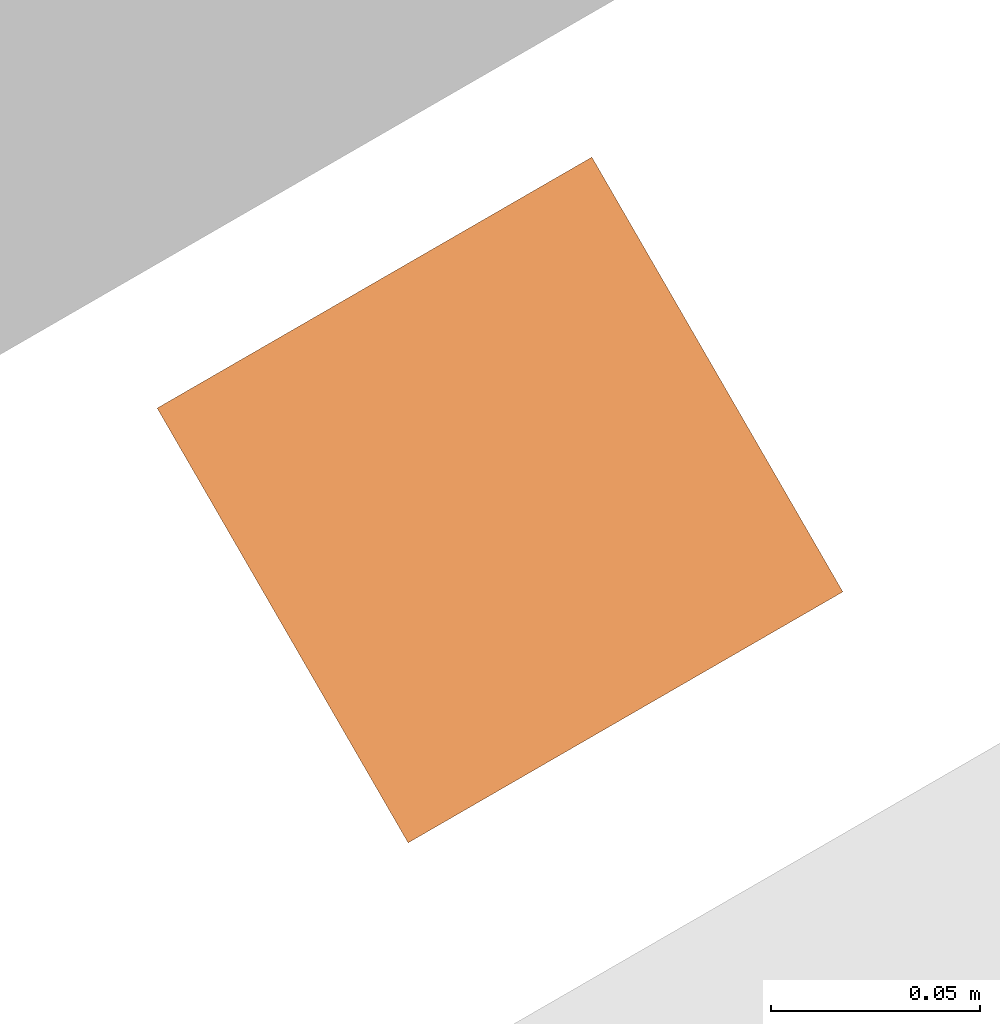
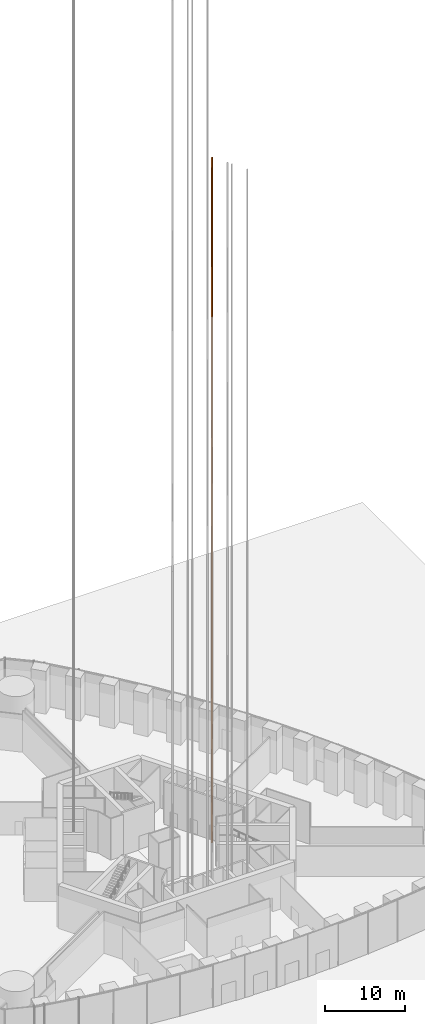
# One storey, part 43 of 43: 1 proxy.
"""IFC4 building model written with IfcOpenShell, lengths in metres."""

from ifc_helpers import new_model, si_unit, direction, frame, origin, origin_2d, place, context, subcontext, project, spatial, rectangle, extrude, element, save


model = new_model("IFC4")

# Units and contexts
model_context = context("Model", 3, precision=1e-05, world=origin(), true_north=direction((0.0, 1.0)))
body_context = subcontext(model_context, "Body", "Model", "MODEL_VIEW")
ifc_project = project(units=[si_unit("LENGTHUNIT", "METRE"), si_unit("AREAUNIT", "SQUARE_METRE"), si_unit("VOLUMEUNIT", "CUBIC_METRE"), si_unit("PLANEANGLEUNIT", "RADIAN"), si_unit("MASSUNIT", "GRAM", prefix="KILO")], contexts=[model_context])

# Site, building, storey
site_placement = place(None, origin())
site = spatial("IfcSite", under=ifc_project, at=site_placement, CompositionType="ELEMENT")
building_placement = place(site_placement, origin())
building = spatial("IfcBuilding", under=site, at=building_placement, Name="Trefoil Bronze Tower", CompositionType="ELEMENT")
storey_placement = place(building_placement, origin())
storey = spatial("IfcBuildingStorey", under=building, at=storey_placement, Name="L00", CompositionType="ELEMENT", Elevation=0.0)

# Proxy
proxy_placement = place(storey_placement, frame((9.954345703125, 5.383544921875, -1.599853515625), z_axis=(0.0, 0.0, 1.0), x_axis=(-0.5, 0.866025403784, 0.0)))
element("IfcBuildingElementProxy", 1, at=proxy_placement, inside=storey, Name="Lift S2 guide rail 2", ObjectType="LIFT GUIDE RAIL", PredefinedType="USERDEFINED", context=body_context, shape_type="SweptSolid", body=[
    extrude(rectangle(XDim=0.1201171875, YDim=0.1201171875, at=origin_2d()), origin(), (0.0, 0.0, 1.0), 104.14990234375),
])

save(model, "model.ifc")
